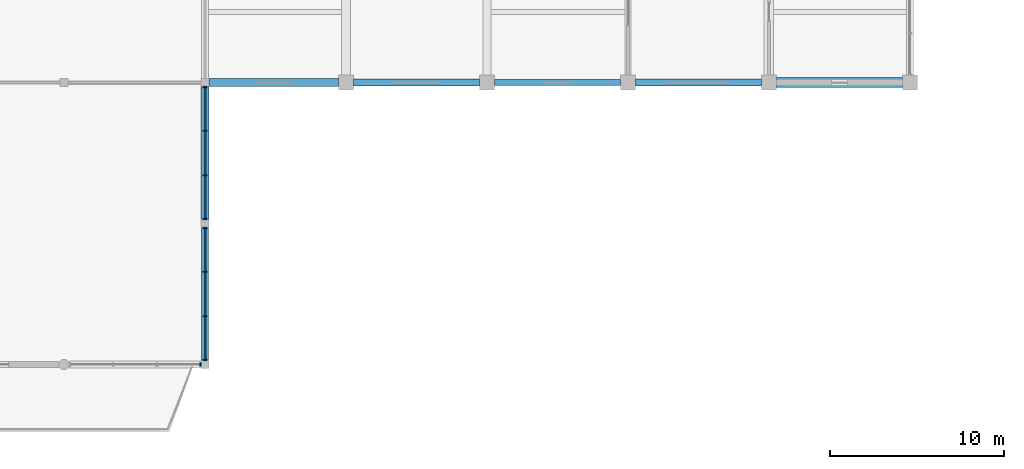
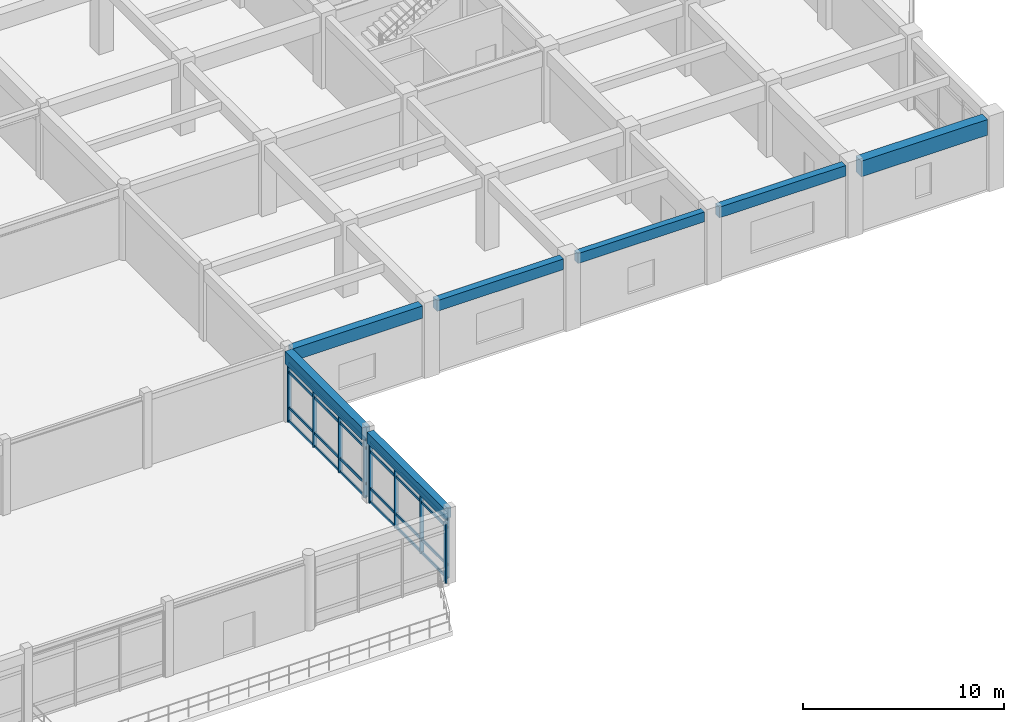
# One storey, part 33 of 93: 17 members, 7 beams, 3 elements without a shape of their own.
"""IFC4 building model written with IfcOpenShell, lengths in metres."""

from ifc_helpers import new_model, si_unit, direction, frame, origin, origin_2d, place, context, subcontext, project, spatial, rectangle, extrude, material, layer, layer_set, material_profile, profile_set, type_object, element, aggregate, save


model = new_model("IFC4")

# Units and contexts
model_context = context("Model", 3, precision=1e-05, world=origin(), true_north=direction((0.0, 1.0)))
body_context = subcontext(model_context, "Body", "Model", "MODEL_VIEW")
ifc_project = project(units=[si_unit("LENGTHUNIT", "METRE"), si_unit("AREAUNIT", "SQUARE_METRE"), si_unit("VOLUMEUNIT", "CUBIC_METRE"), si_unit("PLANEANGLEUNIT", "RADIAN"), si_unit("MASSUNIT", "GRAM", prefix="KILO")], contexts=[model_context])

# Site, building, storey
site_placement = place(None, origin())
site = spatial("IfcSite", under=ifc_project, at=site_placement, CompositionType="ELEMENT")
building_placement = place(site_placement, origin())
building = spatial("IfcBuilding", under=site, at=building_placement, Name="Vaudrelin Polytechnic", CompositionType="ELEMENT")
storey_placement = place(building_placement, frame((0.0, 0.0, 5.10009765625)))
storey = spatial("IfcBuildingStorey", under=building, at=storey_placement, Name="L01", CompositionType="ELEMENT", Elevation=5.10009765625)

# Beams
ifc_material_1 = material(Name="Concrete 40 MPa", Category="concrete")
ifc_material_profile_1 = material_profile(ifc_material_1, rectangle(XDim=0.35009765625, YDim=0.60009765625, at=origin_2d()), Name="RC350x600")
ifc_profile_set_1 = profile_set([ifc_material_profile_1], Name="Concrete 40 MPa")
beam_type_1 = type_object("IfcBeamType", Name="BM-BM-RC3560", PredefinedType="BEAM", material=ifc_profile_set_1)
beam_1_placement = place(storey_placement, frame((146.220947265625, 16.199951171875, 4.010009765625), z_axis=(1.0, 0.0, 0.0), x_axis=(0.0, 1.0, 0.0)))
element("IfcBeam", 1, at=beam_1_placement, inside=storey, type_object=beam_type_1, Name="L01 X-beam 19-3", PredefinedType="BEAM", context=body_context, shape_type="SweptSolid", body=[
    extrude(rectangle(XDim=0.35009765625, YDim=0.60009765625, at=origin_2d()), origin(), (0.0, 0.0, 1.0), 7.258056640625),
])
ifc_material_profile_2 = material_profile(ifc_material_1, rectangle(XDim=0.39990234375, YDim=0.64990234375, at=origin_2d()), Name="RC400x650")
ifc_profile_set_2 = profile_set([ifc_material_profile_2], Name="Concrete 40 MPa")
beam_type_2 = type_object("IfcBeamType", Name="BM-BM-RC4065", PredefinedType="BEAM", material=ifc_profile_set_2)
beam_2_placement = place(storey_placement, frame((138.12109375, 16.199951171875, 3.98486328125), z_axis=(1.0, 0.0, 0.0), x_axis=(0.0, 1.0, 0.0)))
element("IfcBeam", 2, at=beam_2_placement, inside=storey, type_object=beam_type_2, Name="L01 X-beam 18-3", PredefinedType="BEAM", context=body_context, shape_type="SweptSolid", body=[
    extrude(rectangle(XDim=0.39990234375, YDim=0.64990234375, at=origin_2d()), origin(), (0.0, 0.0, 1.0), 7.2578125),
])
ifc_material_profile_3 = material_profile(ifc_material_1, rectangle(XDim=0.449951171875, YDim=0.75, at=origin_2d()), Name="RC450x750")
ifc_profile_set_3 = profile_set([ifc_material_profile_3], Name="Concrete 40 MPa")
beam_type_3 = type_object("IfcBeamType", Name="BM-BM-RC4575", PredefinedType="BEAM", material=ifc_profile_set_3)
beam_3_placement = place(storey_placement, frame((129.60009765625, 8.31005859375, 3.934814453125), z_axis=(0.0, 1.0, 0.0), x_axis=(-1.0, 0.0, 0.0)))
element("IfcBeam", 3, at=beam_3_placement, inside=storey, type_object=beam_type_3, Name="L01 Y-beam 17-2", PredefinedType="BEAM", context=body_context, shape_type="SweptSolid", body=[
    extrude(rectangle(XDim=0.449951171875, YDim=0.75, at=origin_2d()), origin(), (0.0, 0.0, 1.0), 7.679931640625),
])
beam_4_placement = place(storey_placement, frame((129.821044921875, 16.199951171875, 3.934814453125), z_axis=(1.0, 0.0, 0.0), x_axis=(0.0, 1.0, 0.0)))
element("IfcBeam", 4, at=beam_4_placement, inside=storey, type_object=beam_type_3, Name="L01 X-beam 17-3", PredefinedType="BEAM", context=body_context, shape_type="SweptSolid", body=[
    extrude(rectangle(XDim=0.449951171875, YDim=0.75, at=origin_2d()), origin(), (0.0, 0.0, 1.0), 7.4580078125),
])
ifc_material_2 = material(Name="Concrete 50 MPa", Category="concrete")
ifc_material_profile_4 = material_profile(ifc_material_2, rectangle(XDim=0.550048828125, YDim=0.949951171875, at=origin_2d()), Name="RC550x950")
ifc_profile_set_4 = profile_set([ifc_material_profile_4], Name="Concrete 50 MPa")
beam_type_4 = type_object("IfcBeamType", Name="BM-BM-RC5595", PredefinedType="BEAM", material=ifc_profile_set_4)
beam_5_placement = place(storey_placement, frame((162.4208984375, 16.199951171875, 3.8349609375), z_axis=(1.0, 0.0, 0.0), x_axis=(0.0, 1.0, 0.0)))
element("IfcBeam", 5, at=beam_5_placement, inside=storey, type_object=beam_type_4, Name="L01 X-beam 21-3", PredefinedType="BEAM", context=body_context, shape_type="SweptSolid", body=[
    extrude(rectangle(XDim=0.550048828125, YDim=0.949951171875, at=origin_2d()), origin(), (0.0, 0.0, 1.0), 7.258056640625),
])
ifc_material_profile_5 = material_profile(ifc_material_1, rectangle(XDim=0.39990234375, YDim=0.64990234375, at=origin_2d()), Name="RC400x650")
ifc_profile_set_5 = profile_set([ifc_material_profile_5], Name="Concrete 40 MPa")
beam_type_5 = type_object("IfcBeamType", Name="BM-SP-RC4065", PredefinedType="SPANDREL", material=ifc_profile_set_5)
beam_6_placement = place(storey_placement, frame((129.60009765625, 0.2099609375, 3.98486328125), z_axis=(0.0, 1.0, 0.0), x_axis=(-1.0, 0.0, 0.0)))
element("IfcBeam", 6, at=beam_6_placement, inside=storey, type_object=beam_type_5, Name="L01 Y-beam 17-1", PredefinedType="SPANDREL", context=body_context, shape_type="SweptSolid", body=[
    extrude(rectangle(XDim=0.39990234375, YDim=0.64990234375, at=origin_2d()), origin(), (0.0, 0.0, 1.0), 7.679931640625),
])
beam_7_placement = place(storey_placement, frame((154.321044921875, 16.199951171875, 3.98486328125), z_axis=(1.0, 0.0, 0.0), x_axis=(0.0, 1.0, 0.0)))
element("IfcBeam", 7, at=beam_7_placement, inside=storey, type_object=beam_type_5, Name="L01 X-beam 20-3", PredefinedType="SPANDREL", context=body_context, shape_type="SweptSolid", body=[
    extrude(rectangle(XDim=0.39990234375, YDim=0.64990234375, at=origin_2d()), origin(), (0.0, 0.0, 1.0), 7.258056640625),
])

# Curtain wall, members
ifc_material_3 = material(Name="Thermally broken anodised aluminium AA 6063-T6 and low-e triple glazing", Category="aluminium")
ifc_layer = layer(ifc_material_3, 0.199951171875)
ifc_layer_set = layer_set([ifc_layer], Name="Thermally broken anodised aluminium AA 6063-T6 and low-e triple glazing")
curtain_wall_type = type_object("IfcCurtainWallType", Name="CW-CW-WG", PredefinedType="USERDEFINED", material=ifc_layer_set)
curtain_wall_1_placement = place(storey_placement, origin())
curtain_wall_1 = element("IfcCurtainWall", 8, at=curtain_wall_1_placement, inside=storey, type_object=curtain_wall_type, Name="Curtain wall L01 E_V3_00", ObjectType="CURTAIN WALL", PredefinedType="USERDEFINED")
ifc_material_4 = material(Name="Anodised aluminium AA 6063-T6", Category="aluminium")
ifc_material_profile_6 = material_profile(ifc_material_4, rectangle(XDim=0.074951171875, YDim=0.219970703125, at=origin_2d()), Name="CWM-75x220")
ifc_profile_set_6 = profile_set([ifc_material_profile_6], Name="Anodised aluminium AA 6063-T6")
member_type_1 = type_object("IfcMemberType", Name="MEM-CWM-220", PredefinedType="MULLION", material=ifc_profile_set_6)
member_1_placement = place(storey_placement, frame((129.60009765625, 0.262939453125, 0.0), z_axis=(0.0, 0.0, 1.0), x_axis=(0.0, 1.0, 0.0)))
member_1 = element("IfcMember", 9, at=member_1_placement, type_object=member_type_1, Name="E_V3_00 mullion 1", PredefinedType="MULLION", context=body_context, shape_type="SweptSolid", body=[
    extrude(rectangle(XDim=0.074951171875, YDim=0.219970703125, at=origin_2d()), origin(), (0.0, 0.0, 1.0), 3.661865234375),
])
member_2_placement = place(storey_placement, frame((129.60009765625, 2.7744140625, 0.0), z_axis=(0.0, 0.0, 1.0), x_axis=(0.0, 1.0, 0.0)))
member_2 = element("IfcMember", 10, at=member_2_placement, type_object=member_type_1, Name="E_V3_00 mullion 2", PredefinedType="MULLION", context=body_context, shape_type="SweptSolid", body=[
    extrude(rectangle(XDim=0.074951171875, YDim=0.219970703125, at=origin_2d()), origin(), (0.0, 0.0, 1.0), 3.661865234375),
])
member_3_placement = place(storey_placement, frame((129.60009765625, 5.32568359375, 0.0), z_axis=(0.0, 0.0, 1.0), x_axis=(0.0, 1.0, 0.0)))
member_3 = element("IfcMember", 11, at=member_3_placement, type_object=member_type_1, Name="E_V3_00 mullion 3", PredefinedType="MULLION", context=body_context, shape_type="SweptSolid", body=[
    extrude(rectangle(XDim=0.074951171875, YDim=0.219970703125, at=origin_2d()), origin(), (0.0, 0.0, 1.0), 3.661865234375),
])
member_4_placement = place(storey_placement, frame((129.60009765625, 7.8369140625, 0.0), z_axis=(0.0, 0.0, 1.0), x_axis=(0.0, 1.0, 0.0)))
member_4 = element("IfcMember", 12, at=member_4_placement, type_object=member_type_1, Name="E_V3_00 mullion 4", PredefinedType="MULLION", context=body_context, shape_type="SweptSolid", body=[
    extrude(rectangle(XDim=0.074951171875, YDim=0.219970703125, at=origin_2d()), origin(), (0.0, 0.0, 1.0), 3.661865234375),
])

curtain_wall_2_placement = place(storey_placement, origin())
curtain_wall_2 = element("IfcCurtainWall", 13, at=curtain_wall_2_placement, inside=storey, type_object=curtain_wall_type, Name="Curtain wall L01 E_V3_01", ObjectType="CURTAIN WALL", PredefinedType="USERDEFINED")
member_5_placement = place(storey_placement, frame((129.60009765625, 8.363037109375, 0.0), z_axis=(0.0, 0.0, 1.0), x_axis=(0.0, 1.0, 0.0)))
member_5 = element("IfcMember", 14, at=member_5_placement, type_object=member_type_1, Name="E_V3_01 mullion 1", PredefinedType="MULLION", context=body_context, shape_type="SweptSolid", body=[
    extrude(rectangle(XDim=0.074951171875, YDim=0.219970703125, at=origin_2d()), origin(), (0.0, 0.0, 1.0), 3.56201171875),
])
member_6_placement = place(storey_placement, frame((129.60009765625, 10.874267578125, 0.0), z_axis=(0.0, 0.0, 1.0), x_axis=(0.0, 1.0, 0.0)))
member_6 = element("IfcMember", 15, at=member_6_placement, type_object=member_type_1, Name="E_V3_01 mullion 2", PredefinedType="MULLION", context=body_context, shape_type="SweptSolid", body=[
    extrude(rectangle(XDim=0.074951171875, YDim=0.219970703125, at=origin_2d()), origin(), (0.0, 0.0, 1.0), 3.56201171875),
])
member_7_placement = place(storey_placement, frame((129.60009765625, 13.42578125, 0.0), z_axis=(0.0, 0.0, 1.0), x_axis=(0.0, 1.0, 0.0)))
member_7 = element("IfcMember", 16, at=member_7_placement, type_object=member_type_1, Name="E_V3_01 mullion 3", PredefinedType="MULLION", context=body_context, shape_type="SweptSolid", body=[
    extrude(rectangle(XDim=0.074951171875, YDim=0.219970703125, at=origin_2d()), origin(), (0.0, 0.0, 1.0), 3.56201171875),
])
member_8_placement = place(storey_placement, frame((129.60009765625, 15.93701171875, 0.0), z_axis=(0.0, 0.0, 1.0), x_axis=(0.0, 1.0, 0.0)))
member_8 = element("IfcMember", 17, at=member_8_placement, type_object=member_type_1, Name="E_V3_01 mullion 4", PredefinedType="MULLION", context=body_context, shape_type="SweptSolid", body=[
    extrude(rectangle(XDim=0.074951171875, YDim=0.219970703125, at=origin_2d()), origin(), (0.0, 0.0, 1.0), 3.56201171875),
])

# Curtain wall, member
curtain_wall_3_placement = place(storey_placement, origin())
curtain_wall_3 = element("IfcCurtainWall", 18, at=curtain_wall_3_placement, inside=storey, type_object=curtain_wall_type, Name="Curtain wall L01 S_V3_05", ObjectType="CURTAIN WALL", PredefinedType="USERDEFINED")
member_9_placement = place(storey_placement, frame((129.3369140625, 0.0, 0.0), z_axis=(0.0, 0.0, 1.0), x_axis=(1.0, 0.0, 0.0)))
member_9 = element("IfcMember", 19, at=member_9_placement, type_object=member_type_1, Name="S_V3_05 mullion 4", PredefinedType="MULLION", context=body_context, shape_type="SweptSolid", body=[
    extrude(rectangle(XDim=0.074951171875, YDim=0.219970703125, at=origin_2d()), origin(), (0.0, 0.0, 1.0), 3.661865234375),
])
aggregate(curtain_wall_3, [member_9])

# Member
ifc_material_profile_7 = material_profile(ifc_material_4, rectangle(XDim=0.074951171875, YDim=0.1650390625, at=origin_2d()), Name="CWT-75x165")
ifc_profile_set_7 = profile_set([ifc_material_profile_7], Name="Anodised aluminium AA 6063-T6")
member_type_2 = type_object("IfcMemberType", Name="MEM-CWT-165", PredefinedType="USERDEFINED", material=ifc_profile_set_7)
member_10_placement = place(storey_placement, frame((129.60009765625, 0.222900390625, 0.0498046875), z_axis=(0.0, 1.0, 0.0), x_axis=(-1.0, 0.0, 0.0)))
member_10 = element("IfcMember", 20, at=member_10_placement, type_object=member_type_2, Name="E_V3_00 transom 1", ObjectType="TRANSOM", PredefinedType="USERDEFINED", context=body_context, shape_type="SweptSolid", body=[
    extrude(rectangle(XDim=0.074951171875, YDim=0.1650390625, at=origin_2d()), origin(), (0.0, 0.0, 1.0), 7.654052734375),
])

member_11_placement = place(storey_placement, frame((129.60009765625, 0.222900390625, 0.849853515625), z_axis=(0.0, 1.0, 0.0), x_axis=(-1.0, 0.0, 0.0)))
member_11 = element("IfcMember", 21, at=member_11_placement, type_object=member_type_2, Name="E_V3_00 transom 2", ObjectType="TRANSOM", PredefinedType="USERDEFINED", context=body_context, shape_type="SweptSolid", body=[
    extrude(rectangle(XDim=0.074951171875, YDim=0.1650390625, at=origin_2d()), origin(), (0.0, 0.0, 1.0), 7.654052734375),
])

member_12_placement = place(storey_placement, frame((129.60009765625, 0.222900390625, 3.11181640625), z_axis=(0.0, 1.0, 0.0), x_axis=(-1.0, 0.0, 0.0)))
member_12 = element("IfcMember", 22, at=member_12_placement, type_object=member_type_2, Name="E_V3_00 transom 3", ObjectType="TRANSOM", PredefinedType="USERDEFINED", context=body_context, shape_type="SweptSolid", body=[
    extrude(rectangle(XDim=0.074951171875, YDim=0.1650390625, at=origin_2d()), origin(), (0.0, 0.0, 1.0), 7.654052734375),
])

member_13_placement = place(storey_placement, frame((129.60009765625, 0.222900390625, 3.61181640625), z_axis=(0.0, 1.0, 0.0), x_axis=(-1.0, 0.0, 0.0)))
member_13 = element("IfcMember", 23, at=member_13_placement, type_object=member_type_2, Name="E_V3_00 transom 4", ObjectType="TRANSOM", PredefinedType="USERDEFINED", context=body_context, shape_type="SweptSolid", body=[
    extrude(rectangle(XDim=0.074951171875, YDim=0.1650390625, at=origin_2d()), origin(), (0.0, 0.0, 1.0), 7.654052734375),
])

aggregate(curtain_wall_1, [member_1, member_2, member_3, member_4, member_10, member_11, member_12, member_13])

member_14_placement = place(storey_placement, frame((129.60009765625, 8.322998046875, 0.0498046875), z_axis=(0.0, 1.0, 0.0), x_axis=(-1.0, 0.0, 0.0)))
member_14 = element("IfcMember", 24, at=member_14_placement, type_object=member_type_2, Name="E_V3_01 transom 1", ObjectType="TRANSOM", PredefinedType="USERDEFINED", context=body_context, shape_type="SweptSolid", body=[
    extrude(rectangle(XDim=0.074951171875, YDim=0.1650390625, at=origin_2d()), origin(), (0.0, 0.0, 1.0), 7.654052734375),
])

member_15_placement = place(storey_placement, frame((129.60009765625, 8.322998046875, 0.849853515625), z_axis=(0.0, 1.0, 0.0), x_axis=(-1.0, 0.0, 0.0)))
member_15 = element("IfcMember", 25, at=member_15_placement, type_object=member_type_2, Name="E_V3_01 transom 2", ObjectType="TRANSOM", PredefinedType="USERDEFINED", context=body_context, shape_type="SweptSolid", body=[
    extrude(rectangle(XDim=0.074951171875, YDim=0.1650390625, at=origin_2d()), origin(), (0.0, 0.0, 1.0), 7.654052734375),
])

member_16_placement = place(storey_placement, frame((129.60009765625, 8.322998046875, 3.011962890625), z_axis=(0.0, 1.0, 0.0), x_axis=(-1.0, 0.0, 0.0)))
member_16 = element("IfcMember", 26, at=member_16_placement, type_object=member_type_2, Name="E_V3_01 transom 3", ObjectType="TRANSOM", PredefinedType="USERDEFINED", context=body_context, shape_type="SweptSolid", body=[
    extrude(rectangle(XDim=0.074951171875, YDim=0.1650390625, at=origin_2d()), origin(), (0.0, 0.0, 1.0), 7.654052734375),
])

member_17_placement = place(storey_placement, frame((129.60009765625, 8.322998046875, 3.511962890625), z_axis=(0.0, 1.0, 0.0), x_axis=(-1.0, 0.0, 0.0)))
member_17 = element("IfcMember", 27, at=member_17_placement, type_object=member_type_2, Name="E_V3_01 transom 4", ObjectType="TRANSOM", PredefinedType="USERDEFINED", context=body_context, shape_type="SweptSolid", body=[
    extrude(rectangle(XDim=0.074951171875, YDim=0.1650390625, at=origin_2d()), origin(), (0.0, 0.0, 1.0), 7.654052734375),
])

aggregate(curtain_wall_2, [member_5, member_6, member_7, member_8, member_14, member_15, member_16, member_17])

save(model, "model.ifc")
